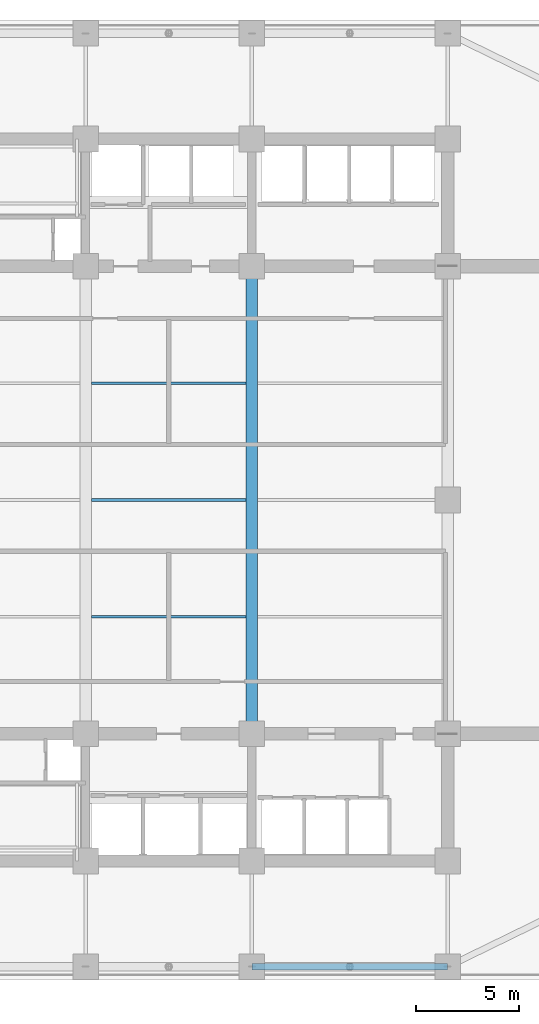
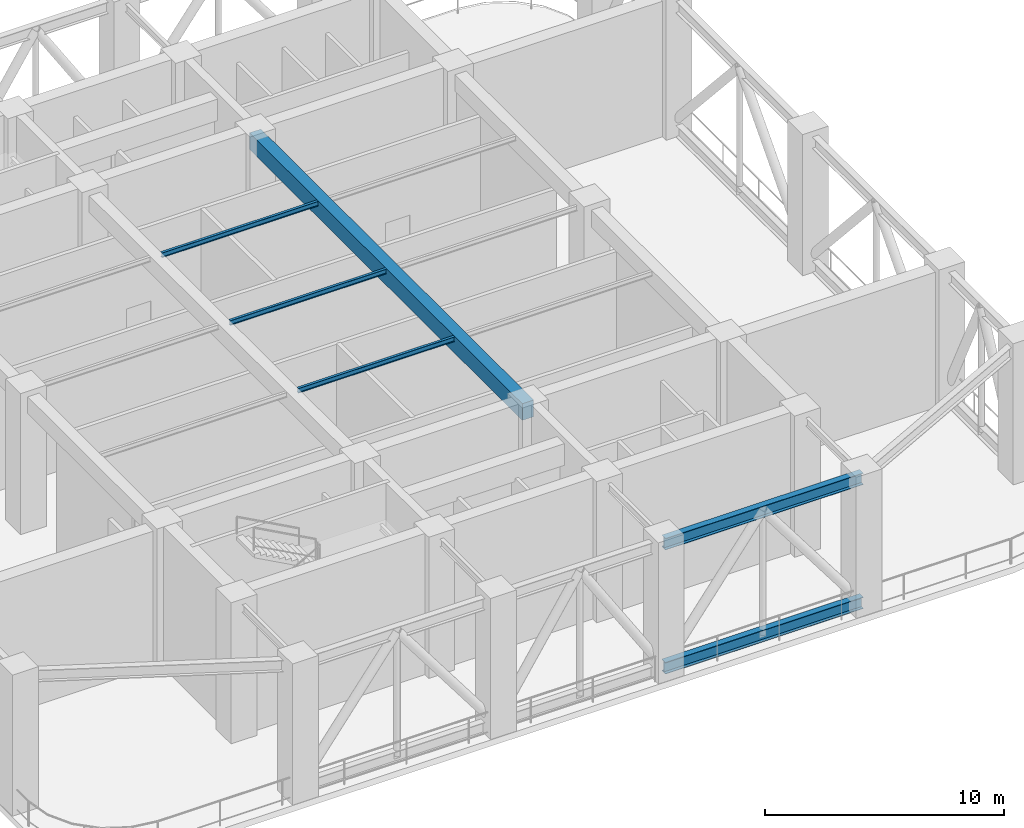
# One storey, part 5 of 20: 6 beams.
"""IFC4 building model written with IfcOpenShell, lengths in metres."""

from ifc_helpers import new_model, si_unit, direction, frame, origin, origin_2d, place, context, subcontext, project, spatial, rectangle, i_section, extrude, material, material_profile, profile_set, type_object, element, save


model = new_model("IFC4")

# Units and contexts
model_context = context("Model", 3, precision=1e-05, world=origin(), true_north=direction((0.0, 1.0)))
body_context = subcontext(model_context, "Body", "Model", "MODEL_VIEW")
ifc_project = project(units=[si_unit("LENGTHUNIT", "METRE"), si_unit("AREAUNIT", "SQUARE_METRE"), si_unit("VOLUMEUNIT", "CUBIC_METRE"), si_unit("PLANEANGLEUNIT", "RADIAN"), si_unit("MASSUNIT", "GRAM", prefix="KILO")], contexts=[model_context])

# Site, building, storey
site_placement = place(None, origin())
site = spatial("IfcSite", under=ifc_project, at=site_placement, CompositionType="ELEMENT")
building_placement = place(site_placement, origin())
building = spatial("IfcBuilding", under=site, at=building_placement, Name="Svetorya Sky Lyceum", CompositionType="ELEMENT")
storey_placement = place(building_placement, frame((0.0, 0.0, 76.89990234375)))
storey = spatial("IfcBuildingStorey", under=building, at=storey_placement, Name="L19", CompositionType="ELEMENT", Elevation=76.89990234375)

# Beams
ifc_material_1 = material(Name="Concrete C50/60", Category="concrete")
ifc_material_profile_1 = material_profile(ifc_material_1, rectangle(XDim=0.550048828125, YDim=0.85009765625, at=origin_2d()), Name="RC BEAM 550x850")
ifc_profile_set_1 = profile_set([ifc_material_profile_1], Name="Concrete C50/60")
beam_type_1 = type_object("IfcBeamType", Name="BM-RC-850", PredefinedType="BEAM", material=ifc_profile_set_1)
beam_placement = place(storey_placement, frame((43.25, 16.800048828125, 6.4951171875), z_axis=(0.0, 1.0, 0.0), x_axis=(-1.0, 0.0, 0.0)))
element("IfcBeam", 1, at=beam_placement, inside=storey, type_object=beam_type_1, Name="L19 Central Bay Primary Girder CG-3", PredefinedType="BEAM", context=body_context, shape_type="SweptSolid", body=[
    extrude(rectangle(XDim=0.550048828125, YDim=0.85009765625, at=origin_2d()), origin(), (0.0, 0.0, 1.0), 22.800048828125),
])
ifc_material_2 = material(Name="Steel S355", Category="steel")
ifc_material_profile_2 = material_profile(ifc_material_2, i_section(OverallWidth=0.1240234375, OverallDepth=0.248046875, WebThickness=0.006103515625, FlangeThickness=0.009521484375, at=origin_2d()), Name="GOST 25B2")
ifc_profile_set_2 = profile_set([ifc_material_profile_2], Name="Steel S355")
beam_type_2 = type_object("IfcBeamType", Name="BM-STL-25B2", PredefinedType="JOIST", material=ifc_profile_set_2)
for number, where, z_axis, x_axis, name in (
    (2, (35.425048828125, 22.5, 6.796142578125), (1.0, 0.0, 0.0), (0.0, 1.0, 0.0), "L19 Central Floor Joist CJ-1.2"),
    (3, (35.425048828125, 28.199951171875, 6.796142578125), (1.0, 0.0, 0.0), (0.0, 1.0, 0.0), "L19 Central Floor Joist CJ-2.2"),
    (4, (35.425048828125, 33.89990234375, 6.796142578125), (1.0, 0.0, 0.0), (0.0, 1.0, 0.0), "L19 Central Floor Joist CJ-3.2"),
):
    element("IfcBeam", number, at=place(storey_placement, frame(where, z_axis=z_axis, x_axis=x_axis)), inside=storey, type_object=beam_type_2, Name=name, PredefinedType="JOIST", context=body_context, shape_type="SweptSolid", body=[
        extrude(i_section(OverallWidth=0.1240234375, OverallDepth=0.248046875, WebThickness=0.006103515625, FlangeThickness=0.009521484375, at=origin_2d()), origin(), (0.0, 0.0, 1.0), 7.550048828125),
    ])
ifc_material_profile_3 = material_profile(ifc_material_2, i_section(OverallWidth=0.304931640625, OverallDepth=0.590087890625, WebThickness=0.014892578125, FlangeThickness=0.02392578125, at=origin_2d()), Name="GOST 60Sh2")
ifc_profile_set_3 = profile_set([ifc_material_profile_3], Name="Steel S355")
beam_type_3 = type_object("IfcBeamType", Name="BM-STL-60SH2", PredefinedType="BEAM", material=ifc_profile_set_3)
for number, where, z_axis, x_axis, name in (
    (5, (43.25, 5.449951171875, 0.295166015625), (1.0, 0.0, 0.0), (0.0, 1.0, 0.0), "L19 Belt Truss Bottom Chord S-3"),
    (6, (43.25, 5.449951171875, 6.625), (1.0, 0.0, 0.0), (0.0, 1.0, 0.0), "L19 Belt Truss Top Chord S-3"),
):
    element("IfcBeam", number, at=place(storey_placement, frame(where, z_axis=z_axis, x_axis=x_axis)), inside=storey, type_object=beam_type_3, Name=name, PredefinedType="BEAM", context=body_context, shape_type="SweptSolid", body=[
        extrude(i_section(OverallWidth=0.304931640625, OverallDepth=0.590087890625, WebThickness=0.014892578125, FlangeThickness=0.02392578125, at=origin_2d()), origin(), (0.0, 0.0, 1.0), 9.550048828125),
    ])

save(model, "model.ifc")
